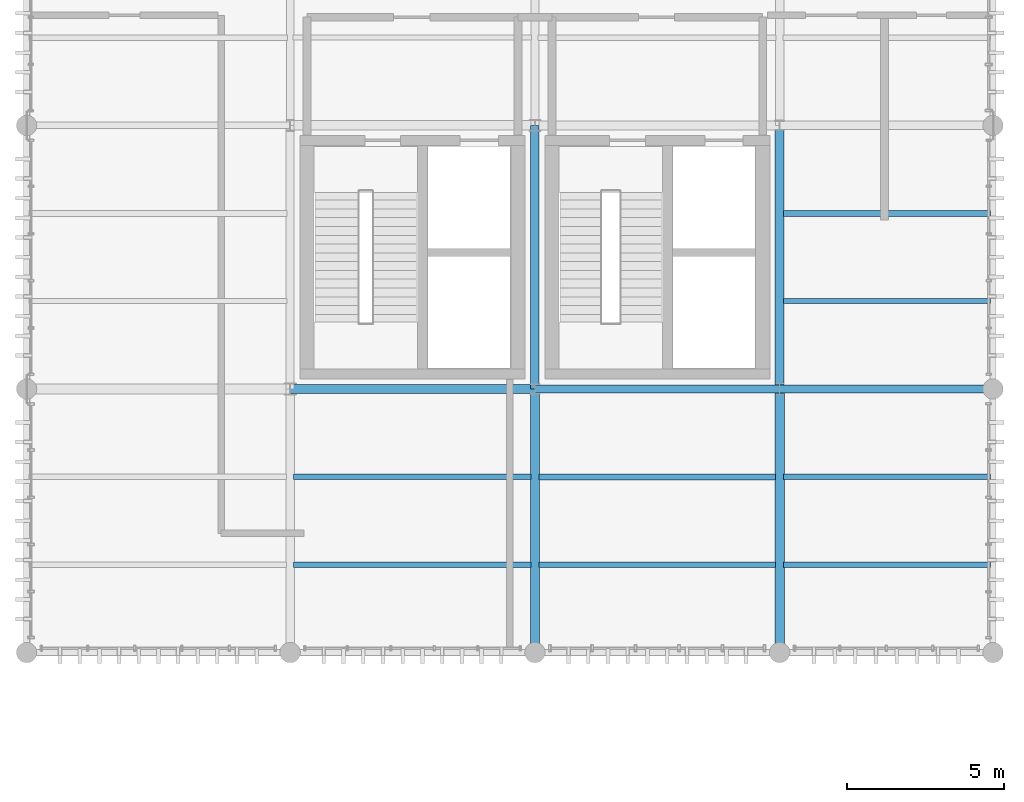
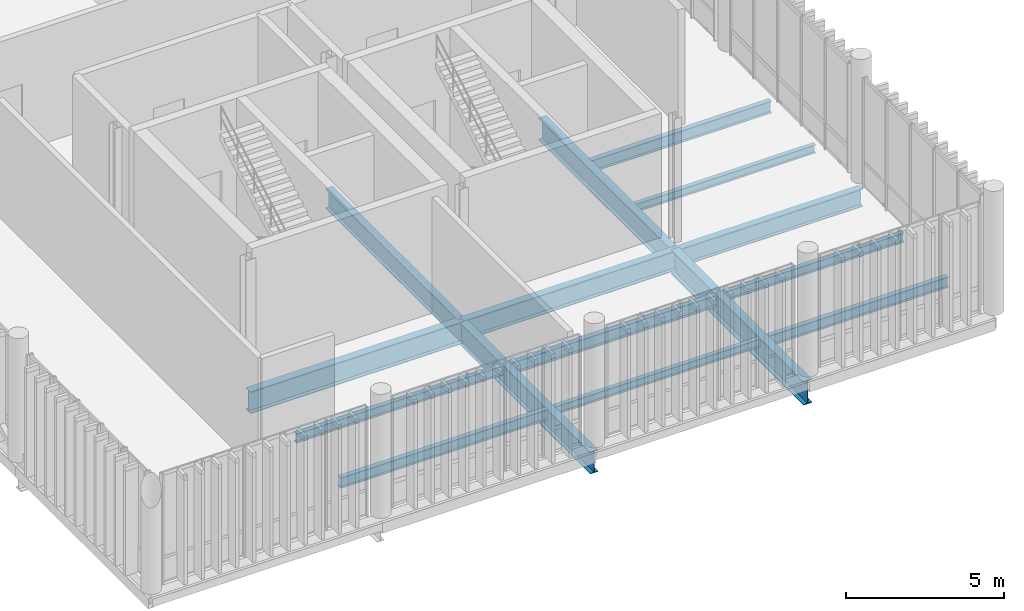
# One storey, part 49 of 86: 15 beams.
"""IFC4 building model written with IfcOpenShell, lengths in metres."""

from ifc_helpers import new_model, si_unit, direction, frame, origin_with_axes, origin_2d_with_axis, place, context, subcontext, project, spatial, i_section, extrude, material, material_profile, profile_set, type_object, element, save


model = new_model("IFC4")

# Units and contexts
model_context = context("Model", 3, precision=1e-05, world=origin_with_axes(), true_north=direction((0.0, 1.0)))
body_context = subcontext(model_context, "Body", "Model", "MODEL_VIEW")
ifc_project = project(units=[si_unit("LENGTHUNIT", "METRE"), si_unit("AREAUNIT", "SQUARE_METRE"), si_unit("VOLUMEUNIT", "CUBIC_METRE"), si_unit("PLANEANGLEUNIT", "RADIAN"), si_unit("MASSUNIT", "GRAM", prefix="KILO"), si_unit("THERMODYNAMICTEMPERATUREUNIT", "KELVIN")], contexts=[model_context])

# Site, building, storey
site_placement = place(None, origin_with_axes())
site = spatial("IfcSite", under=ifc_project, at=site_placement, CompositionType="ELEMENT")
building_placement = place(site_placement, origin_with_axes())
building = spatial("IfcBuilding", under=site, at=building_placement, Name="Montbau Bow Law Courts", CompositionType="ELEMENT")
storey_placement = place(building_placement, frame((0.0, 0.0, 29.7), z_axis=(0.0, 0.0, 1.0), x_axis=(1.0, 0.0, 0.0)))
storey = spatial("IfcBuildingStorey", under=building, at=storey_placement, Name="L06", CompositionType="ELEMENT", Elevation=29.7)

# Beams
ifc_material = material(Name="Steel CSA G40.21 Grade 350W (350 MPa)", Category="steel")
ifc_material_profile_1 = material_profile(ifc_material, i_section(OverallWidth=0.306, OverallDepth=0.919, WebThickness=0.0173, FlangeThickness=0.0279, at=origin_2d_with_axis()), Name="W920X253", Category="Main", Priority=0)
ifc_profile_set_1 = profile_set([ifc_material_profile_1], Name="Steel CSA G40.21 Grade 350W (350 MPa)")
beam_type_1 = type_object("IfcBeamType", Name="B-FLR-01", PredefinedType="BEAM", material=ifc_profile_set_1)
beam_1_placement = place(None, frame((162.6, 78.0, 28.901), z_axis=(0.0, 1.0, 0.0), x_axis=(-1.0, 0.0, 0.0)))
element("IfcBeam", 1, at=beam_1_placement, inside=storey, type_object=beam_type_1, Name="BM-L06-S1330:bm2_1333", PredefinedType="BEAM", context=body_context, shape_type="SweptSolid", body=[
    extrude(i_section(OverallWidth=0.306, OverallDepth=0.919, WebThickness=0.0173, FlangeThickness=0.0279, at=origin_2d_with_axis()), origin_with_axes(), (0.0, 0.0, 1.0), 8.4),
])
ifc_material_profile_2 = material_profile(ifc_material, i_section(OverallWidth=0.293, OverallDepth=0.846, WebThickness=0.0154, FlangeThickness=0.0244, at=origin_2d_with_axis()), Name="W840X210", Category="Main", Priority=0)
ifc_profile_set_2 = profile_set([ifc_material_profile_2], Name="Steel CSA G40.21 Grade 350W (350 MPa)")
beam_type_2 = type_object("IfcBeamType", Name="B-FLR-02", PredefinedType="BEAM", material=ifc_profile_set_2)
beam_2_placement = place(None, frame((147.0, 86.4, 28.937), z_axis=(1.0, 0.0, 0.0), x_axis=(0.0, 1.0, 0.0)))
element("IfcBeam", 2, at=beam_2_placement, inside=storey, type_object=beam_type_2, Name="BM-L06-S1303:bm2_1306", PredefinedType="BEAM", context=body_context, shape_type="SweptSolid", body=[
    extrude(i_section(OverallWidth=0.293, OverallDepth=0.846, WebThickness=0.0154, FlangeThickness=0.0244, at=origin_2d_with_axis()), origin_with_axes(), (0.0, 0.0, 1.0), 7.8),
])
for number, where, z_axis, x_axis, name in (
    (3, (154.8, 78.0, 28.937), (0.0, 1.0, 0.0), (-1.0, 0.0, 0.0), "BM-L06-S1326:bm2_1329"),
    (4, (162.6, 86.4, 28.937), (0.0, 1.0, 0.0), (-1.0, 0.0, 0.0), "BM-L06-S1331:bm2_1334"),
):
    element("IfcBeam", number, at=place(None, frame(where, z_axis=z_axis, x_axis=x_axis)), inside=storey, type_object=beam_type_2, Name=name, PredefinedType="BEAM", context=body_context, shape_type="SweptSolid", body=[
        extrude(i_section(OverallWidth=0.293, OverallDepth=0.846, WebThickness=0.0154, FlangeThickness=0.0244, at=origin_2d_with_axis()), origin_with_axes(), (0.0, 0.0, 1.0), 8.4),
    ])
ifc_material_profile_3 = material_profile(ifc_material, i_section(OverallWidth=0.267, OverallDepth=0.766, WebThickness=0.0149, FlangeThickness=0.0236, at=origin_2d_with_axis()), Name="W760X185", Category="Main", Priority=0)
ifc_profile_set_3 = profile_set([ifc_material_profile_3], Name="Steel CSA G40.21 Grade 350W (350 MPa)")
beam_type_3 = type_object("IfcBeamType", Name="B-FLR-03", PredefinedType="BEAM", material=ifc_profile_set_3)
beam_3_placement = place(None, frame((154.8, 86.4, 28.977), z_axis=(1.0, 0.0, 0.0), x_axis=(0.0, 1.0, 0.0)))
element("IfcBeam", 5, at=beam_3_placement, inside=storey, type_object=beam_type_3, Name="BM-L06-S1304:bm2_1307", PredefinedType="BEAM", context=body_context, shape_type="SweptSolid", body=[
    extrude(i_section(OverallWidth=0.267, OverallDepth=0.766, WebThickness=0.0149, FlangeThickness=0.0236, at=origin_2d_with_axis()), origin_with_axes(), (0.0, 0.0, 1.0), 7.8),
])
beam_4_placement = place(None, frame((154.8, 86.4, 28.977), z_axis=(0.0, 1.0, 0.0), x_axis=(-1.0, 0.0, 0.0)))
element("IfcBeam", 6, at=beam_4_placement, inside=storey, type_object=beam_type_3, Name="BM-L06-S1327:bm2_1330", PredefinedType="BEAM", context=body_context, shape_type="SweptSolid", body=[
    extrude(i_section(OverallWidth=0.267, OverallDepth=0.766, WebThickness=0.0149, FlangeThickness=0.0236, at=origin_2d_with_axis()), origin_with_axes(), (0.0, 0.0, 1.0), 8.4),
])
ifc_material_profile_4 = material_profile(ifc_material, i_section(OverallWidth=0.254, OverallDepth=0.688, WebThickness=0.0131, FlangeThickness=0.0211, at=origin_2d_with_axis()), Name="W690X152", Category="Main", Priority=0)
ifc_profile_set_4 = profile_set([ifc_material_profile_4], Name="Steel CSA G40.21 Grade 350W (350 MPa)")
beam_type_4 = type_object("IfcBeamType", Name="B-FLR-04", PredefinedType="BEAM", material=ifc_profile_set_4)
beam_5_placement = place(None, frame((162.6, 86.4, 29.016), z_axis=(1.0, 0.0, 0.0), x_axis=(0.0, 1.0, 0.0)))
element("IfcBeam", 7, at=beam_5_placement, inside=storey, type_object=beam_type_4, Name="BM-L06-S1305:bm2_1308", PredefinedType="BEAM", context=body_context, shape_type="SweptSolid", body=[
    extrude(i_section(OverallWidth=0.254, OverallDepth=0.688, WebThickness=0.0131, FlangeThickness=0.0211, at=origin_2d_with_axis()), origin_with_axes(), (0.0, 0.0, 1.0), 6.8),
])
ifc_material_profile_5 = material_profile(ifc_material, i_section(OverallWidth=0.191, OverallDepth=0.46, WebThickness=0.0099, FlangeThickness=0.016, at=origin_2d_with_axis()), Name="W460X82", Category="Main", Priority=0)
ifc_profile_set_5 = profile_set([ifc_material_profile_5], Name="Steel CSA G40.21 Grade 350W (350 MPa)")
beam_type_5 = type_object("IfcBeamType", Name="B-JST-01", PredefinedType="JOIST", material=ifc_profile_set_5)
beam_6_placement = place(None, frame((154.923, 83.6, 29.13), z_axis=(1.0, 0.0, 0.0), x_axis=(0.0, 1.0, 0.0)))
element("IfcBeam", 8, at=beam_6_placement, inside=storey, type_object=beam_type_5, Name="JST-L06-S0724:jst2_0724", PredefinedType="JOIST", context=body_context, shape_type="SweptSolid", body=[
    extrude(i_section(OverallWidth=0.191, OverallDepth=0.46, WebThickness=0.0099, FlangeThickness=0.016, at=origin_2d_with_axis()), origin_with_axes(), (0.0, 0.0, 1.0), 7.548),
])
beam_7_placement = place(None, frame((162.722, 92.0, 29.13), z_axis=(1.0, 0.0, 0.0), x_axis=(0.0, 1.0, 0.0)))
element("IfcBeam", 9, at=beam_7_placement, inside=storey, type_object=beam_type_5, Name="JST-L06-S0732:jst2_0732", PredefinedType="JOIST", context=body_context, shape_type="SweptSolid", body=[
    extrude(i_section(OverallWidth=0.191, OverallDepth=0.46, WebThickness=0.0099, FlangeThickness=0.016, at=origin_2d_with_axis()), origin_with_axes(), (0.0, 0.0, 1.0), 6.598),
])
ifc_material_profile_6 = material_profile(ifc_material, i_section(OverallWidth=0.179, OverallDepth=0.41, WebThickness=0.0088, FlangeThickness=0.0144, at=origin_2d_with_axis()), Name="W410X67", Category="Main", Priority=0)
ifc_profile_set_6 = profile_set([ifc_material_profile_6], Name="Steel CSA G40.21 Grade 350W (350 MPa)")
beam_type_6 = type_object("IfcBeamType", Name="B-JST-02", PredefinedType="JOIST", material=ifc_profile_set_6)
beam_8_placement = place(None, frame((147.109, 80.8, 29.155), z_axis=(1.0, 0.0, 0.0), x_axis=(0.0, 1.0, 0.0)))
element("IfcBeam", 10, at=beam_8_placement, inside=storey, type_object=beam_type_6, Name="JST-L06-S0717:jst2_0717", PredefinedType="JOIST", context=body_context, shape_type="SweptSolid", body=[
    extrude(i_section(OverallWidth=0.179, OverallDepth=0.41, WebThickness=0.0088, FlangeThickness=0.0144, at=origin_2d_with_axis()), origin_with_axes(), (0.0, 0.0, 1.0), 7.569),
])
beam_9_placement = place(None, frame((162.729, 80.8, 29.155), z_axis=(1.0, 0.0, 0.0), x_axis=(0.0, 1.0, 0.0)))
element("IfcBeam", 11, at=beam_9_placement, inside=storey, type_object=beam_type_6, Name="JST-L06-S0729:jst2_0729", PredefinedType="JOIST", context=body_context, shape_type="SweptSolid", body=[
    extrude(i_section(OverallWidth=0.179, OverallDepth=0.41, WebThickness=0.0088, FlangeThickness=0.0144, at=origin_2d_with_axis()), origin_with_axes(), (0.0, 0.0, 1.0), 6.591),
])
ifc_material_profile_7 = material_profile(ifc_material, i_section(OverallWidth=0.172, OverallDepth=0.358, WebThickness=0.0079, FlangeThickness=0.0131, at=origin_2d_with_axis()), Name="W360X57", Category="Main", Priority=0)
ifc_profile_set_7 = profile_set([ifc_material_profile_7], Name="Steel CSA G40.21 Grade 350W (350 MPa)")
beam_type_7 = type_object("IfcBeamType", Name="B-JST-03", PredefinedType="JOIST", material=ifc_profile_set_7)
beam_10_placement = place(None, frame((147.109, 83.6, 29.181), z_axis=(1.0, 0.0, 0.0), x_axis=(0.0, 1.0, 0.0)))
element("IfcBeam", 12, at=beam_10_placement, inside=storey, type_object=beam_type_7, Name="JST-L06-S0718:jst2_0718", PredefinedType="JOIST", context=body_context, shape_type="SweptSolid", body=[
    extrude(i_section(OverallWidth=0.172, OverallDepth=0.358, WebThickness=0.0079, FlangeThickness=0.0131, at=origin_2d_with_axis()), origin_with_axes(), (0.0, 0.0, 1.0), 7.569),
])
beam_11_placement = place(None, frame((162.729, 83.6, 29.181), z_axis=(1.0, 0.0, 0.0), x_axis=(0.0, 1.0, 0.0)))
element("IfcBeam", 13, at=beam_11_placement, inside=storey, type_object=beam_type_7, Name="JST-L06-S0730:jst2_0730", PredefinedType="JOIST", context=body_context, shape_type="SweptSolid", body=[
    extrude(i_section(OverallWidth=0.172, OverallDepth=0.358, WebThickness=0.0079, FlangeThickness=0.0131, at=origin_2d_with_axis()), origin_with_axes(), (0.0, 0.0, 1.0), 6.591),
])
ifc_material_profile_8 = material_profile(ifc_material, i_section(OverallWidth=0.166, OverallDepth=0.313, WebThickness=0.0066, FlangeThickness=0.0112, at=origin_2d_with_axis()), Name="W310X45", Category="Main", Priority=0)
ifc_profile_set_8 = profile_set([ifc_material_profile_8], Name="Steel CSA G40.21 Grade 350W (350 MPa)")
beam_type_8 = type_object("IfcBeamType", Name="B-JST-04", PredefinedType="JOIST", material=ifc_profile_set_8)
beam_12_placement = place(None, frame((154.923, 80.8, 29.203), z_axis=(1.0, 0.0, 0.0), x_axis=(0.0, 1.0, 0.0)))
element("IfcBeam", 14, at=beam_12_placement, inside=storey, type_object=beam_type_8, Name="JST-L06-S0723:jst2_0723", PredefinedType="JOIST", context=body_context, shape_type="SweptSolid", body=[
    extrude(i_section(OverallWidth=0.166, OverallDepth=0.313, WebThickness=0.0066, FlangeThickness=0.0112, at=origin_2d_with_axis()), origin_with_axes(), (0.0, 0.0, 1.0), 7.548),
])
beam_13_placement = place(None, frame((162.722, 89.2, 29.203), z_axis=(1.0, 0.0, 0.0), x_axis=(0.0, 1.0, 0.0)))
element("IfcBeam", 15, at=beam_13_placement, inside=storey, type_object=beam_type_8, Name="JST-L06-S0731:jst2_0731", PredefinedType="JOIST", context=body_context, shape_type="SweptSolid", body=[
    extrude(i_section(OverallWidth=0.166, OverallDepth=0.313, WebThickness=0.0066, FlangeThickness=0.0112, at=origin_2d_with_axis()), origin_with_axes(), (0.0, 0.0, 1.0), 6.598),
])

save(model, "model.ifc")
